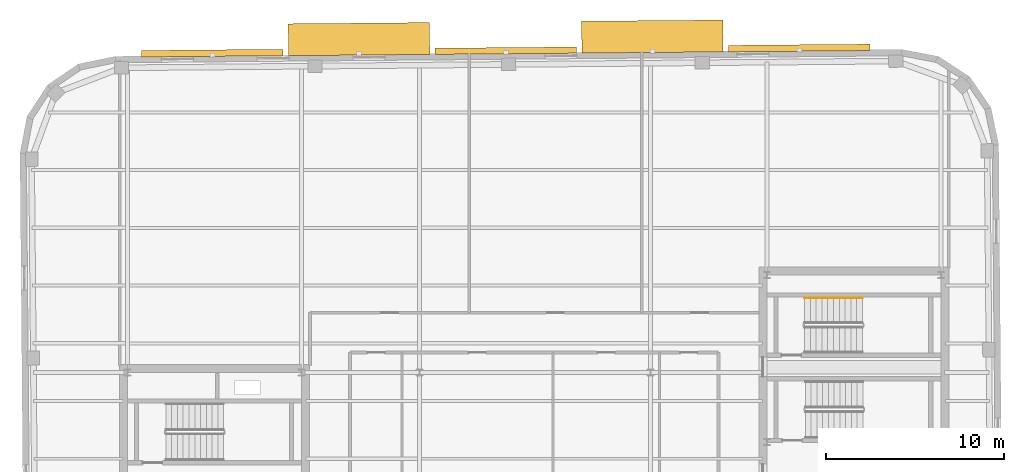
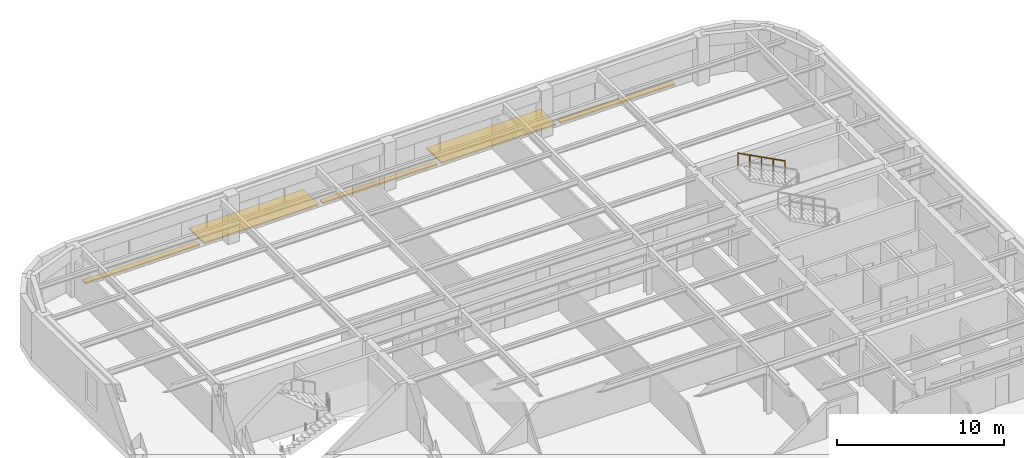
# One storey, part 14 of 14: 5 shading devices, 1 railing.
"""IFC4 building model written with IfcOpenShell, lengths in metres."""

from ifc_helpers import new_model, si_unit, direction, frame, origin, origin_2d, place, context, subcontext, project, spatial, rectangle, circle, extrude, material, type_object, element, save


model = new_model("IFC4")

# Units and contexts
model_context = context("Model", 3, precision=1e-05, world=origin(), true_north=direction((0.0, 1.0)))
body_context = subcontext(model_context, "Body", "Model", "MODEL_VIEW")
ifc_project = project(units=[si_unit("LENGTHUNIT", "METRE"), si_unit("AREAUNIT", "SQUARE_METRE"), si_unit("VOLUMEUNIT", "CUBIC_METRE"), si_unit("PLANEANGLEUNIT", "RADIAN"), si_unit("MASSUNIT", "GRAM", prefix="KILO")], contexts=[model_context])

# Site, building, storey
site_placement = place(None, origin())
site = spatial("IfcSite", under=ifc_project, at=site_placement, CompositionType="ELEMENT")
building_placement = place(site_placement, origin())
building = spatial("IfcBuilding", under=site, at=building_placement, Name="Kolvaren Arena Tower", CompositionType="ELEMENT")
storey_placement = place(building_placement, frame((0.0, 0.0, 274.89990234375)))
storey = spatial("IfcBuildingStorey", under=building, at=storey_placement, Name="L67", CompositionType="ELEMENT", Elevation=274.89990234375)

# Railing
ifc_material_1 = material(Name="Brushed stainless steel handrail", Category="steel")
railing_type = type_object("IfcRailingType", Name="HRAIL-900", PredefinedType="HANDRAIL", material=ifc_material_1)
railing_placement = place(storey_placement, frame((55.919921875, 38.050048828125, 2.045654296875)))
element("IfcRailing", 1, at=railing_placement, inside=storey, type_object=railing_type, Name="L67 ST-E2 stair handrail 2", PredefinedType="HANDRAIL", context=body_context, shape_type="SweptSolid", body=[
    extrude(circle(Radius=0.02392578125, at=origin_2d()), frame((0.0, 0.0, 0.8759765625), z_axis=(-0.885020909582, 0.0, 0.465551274945), x_axis=(0.0, -1.0, 0.0)), (0.0, 0.0, 1.0), 3.660888671875),
    extrude(circle(Radius=0.02099609375, at=origin_2d()), origin(), (0.0, 0.0, 1.0), 0.851806640625),
    extrude(circle(Radius=0.02099609375, at=origin_2d()), frame((-0.81005859375, 0.0, 0.426025390625)), (0.0, 0.0, 1.0), 0.851806640625),
    extrude(circle(Radius=0.02099609375, at=origin_2d()), frame((-1.6201171875, 0.0, 0.85205078125)), (0.0, 0.0, 1.0), 0.851806640625),
    extrude(circle(Radius=0.02099609375, at=origin_2d()), frame((-2.429931640625, 0.0, 1.2783203125)), (0.0, 0.0, 1.0), 0.851806640625),
    extrude(circle(Radius=0.02099609375, at=origin_2d()), frame((-3.239990234375, 0.0, 1.704345703125)), (0.0, 0.0, 1.0), 0.851806640625),
])

# Shading devices
ifc_material_2 = material(Name="Architectural precast GFRC and anodised aluminium sunshade", Category="concrete")
shading_device_type_1 = type_object("IfcShadingDeviceType", Name="SHAD-SINE-A", PredefinedType="USERDEFINED", material=ifc_material_2)
shading_device_1_placement = place(storey_placement, frame((19.332763671875, 51.836181640625, -0.139892578125), z_axis=(0.0, 0.0, 1.0), x_axis=(0.999961923064, 0.008726535498, 0.0)))
element("IfcShadingDevice", 2, at=shading_device_1_placement, inside=storey, type_object=shading_device_type_1, Name="Sinusoidal Slab-Edge Sunshade Louvre (L67)", ObjectType="LOUVRE", PredefinedType="USERDEFINED", context=body_context, shape_type="SweptSolid", body=[
    extrude(rectangle(XDim=7.9599609375, YDim=0.364990234375, at=origin_2d()), origin(), (0.0, 0.0, 1.0), 0.1201171875),
])
shading_device_2_placement = place(storey_placement, frame((35.852294921875, 51.972900390625, -0.139892578125), z_axis=(0.0, 0.0, 1.0), x_axis=(0.999961923064, 0.008726535498, 0.0)))
element("IfcShadingDevice", 3, at=shading_device_2_placement, inside=storey, type_object=shading_device_type_1, Name="Sinusoidal Slab-Edge Sunshade Louvre (L67)", ObjectType="LOUVRE", PredefinedType="USERDEFINED", context=body_context, shape_type="SweptSolid", body=[
    extrude(rectangle(XDim=7.9599609375, YDim=0.35009765625, at=origin_2d()), origin(), (0.0, 0.0, 1.0), 0.1201171875),
])
shading_device_3_placement = place(storey_placement, frame((52.37158203125, 52.12451171875, -0.139892578125), z_axis=(0.0, 0.0, 1.0), x_axis=(0.999961923064, 0.008726535498, 0.0)))
element("IfcShadingDevice", 4, at=shading_device_3_placement, inside=storey, type_object=shading_device_type_1, Name="Sinusoidal Slab-Edge Sunshade Louvre (L67)", ObjectType="LOUVRE", PredefinedType="USERDEFINED", context=body_context, shape_type="SweptSolid", body=[
    extrude(rectangle(XDim=7.9599609375, YDim=0.364990234375, at=origin_2d()), origin(), (0.0, 0.0, 1.0), 0.1201171875),
])
shading_device_type_2 = type_object("IfcShadingDeviceType", Name="SHAD-SINE-B", PredefinedType="JALOUSIE", material=ifc_material_2)
for number, where, z_axis, x_axis, name in (
    (5, (27.586181640625, 52.623779296875, -0.139892578125), (0.0, 0.0, 1.0), (0.999961923064, 0.008726535498, 0.0), "Sinusoidal Slab-Edge Sunshade Louvre (L67)"),
    (6, (44.10546875, 52.767822265625, -0.139892578125), (0.0, 0.0, 1.0), (0.999961923064, 0.008726535498, 0.0), "Sinusoidal Slab-Edge Sunshade Louvre (L67)"),
):
    element("IfcShadingDevice", number, at=place(storey_placement, frame(where, z_axis=z_axis, x_axis=x_axis)), inside=storey, type_object=shading_device_type_2, Name=name, PredefinedType="JALOUSIE", context=body_context, shape_type="SweptSolid", body=[
        extrude(rectangle(XDim=7.9599609375, YDim=1.796142578125, at=origin_2d()), origin(), (0.0, 0.0, 1.0), 0.1201171875),
    ])

save(model, "model.ifc")
